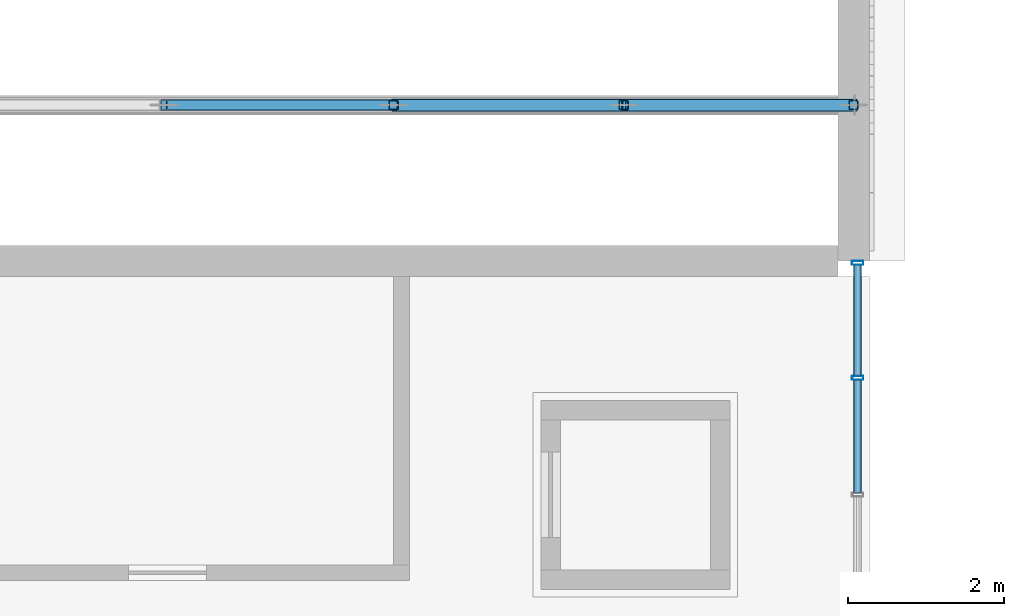
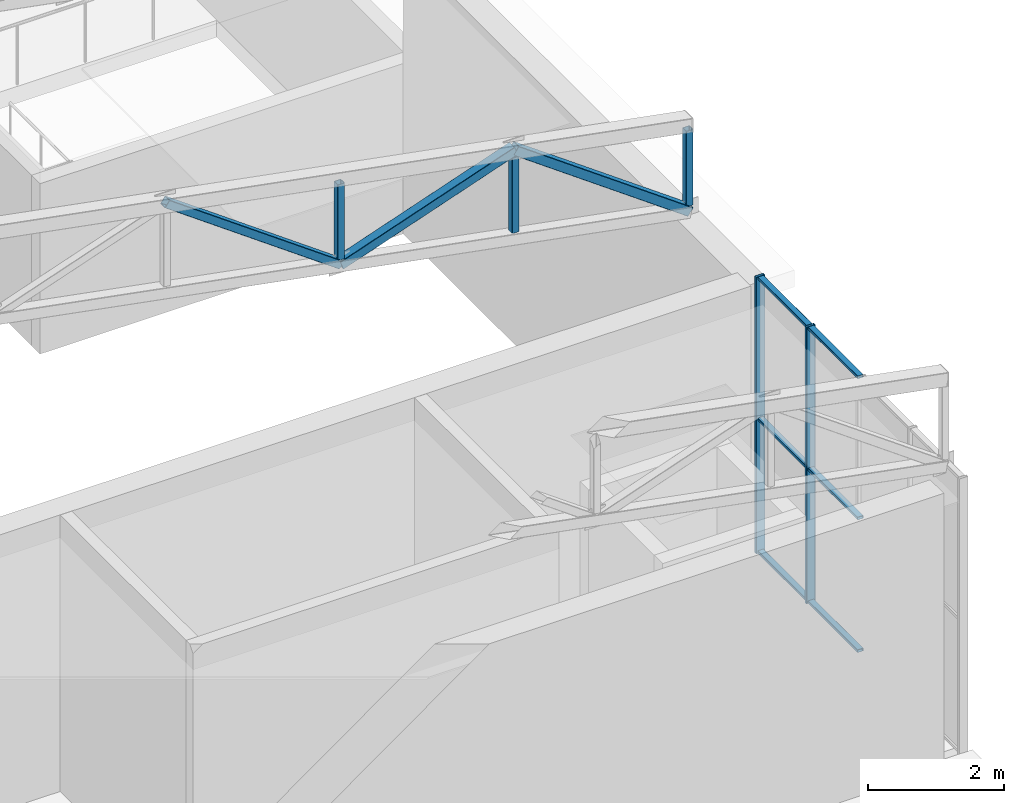
# One storey, part 17 of 125: 14 members, 1 element without a shape of its own.
"""IFC4 building model written with IfcOpenShell, lengths in metres."""

from ifc_helpers import new_model, si_unit, direction, frame, origin, origin_2d, place, context, subcontext, project, spatial, hollow_rectangle, extrude, material, material_profile, profile_set, type_object, element, aggregate, save


model = new_model("IFC4")

# Units and contexts
model_context = context("Model", 3, precision=1e-05, world=origin(), true_north=direction((0.0, 1.0)))
body_context = subcontext(model_context, "Body", "Model", "MODEL_VIEW")
ifc_project = project(units=[si_unit("LENGTHUNIT", "METRE"), si_unit("AREAUNIT", "SQUARE_METRE"), si_unit("VOLUMEUNIT", "CUBIC_METRE"), si_unit("PLANEANGLEUNIT", "RADIAN"), si_unit("MASSUNIT", "GRAM", prefix="KILO")], contexts=[model_context])

# Site, building, storey
site_placement = place(None, origin())
site = spatial("IfcSite", under=ifc_project, at=site_placement, CompositionType="ELEMENT")
building_placement = place(site_placement, origin())
building = spatial("IfcBuilding", under=site, at=building_placement, Name="Sun Court Science Centre", CompositionType="ELEMENT")
storey_placement = place(building_placement, frame((0.0, 0.0, 6.0)))
storey = spatial("IfcBuildingStorey", under=building, at=storey_placement, Name="L01", CompositionType="ELEMENT", Elevation=6.0)

# Curtain wall, members
ifc_material_1 = material(Name="Aluminium EN AW-6063 T6", Category="aluminium")
curtain_wall_type = type_object("IfcCurtainWallType", Name="Foyer curtain wall 1500", PredefinedType="NOTDEFINED", material=ifc_material_1)
curtain_wall_placement = place(storey_placement, origin())
curtain_wall = element("IfcCurtainWall", 1, at=curtain_wall_placement, inside=storey, type_object=curtain_wall_type, Name="Curtain wall V3 E L01 01", PredefinedType="NOTDEFINED")
ifc_material_2 = material(Name="Aluminium EN AW-6063 T6", Category="aluminium")
ifc_material_profile_1 = material_profile(ifc_material_2, hollow_rectangle(XDim=0.050048828125, YDim=0.14990234375, WallThickness=0.00390625, InnerFilletRadius=0.00390625, OuterFilletRadius=0.006103515625, at=origin_2d()), Name="AL 50x150x4")
ifc_profile_set_1 = profile_set([ifc_material_profile_1], Name="Aluminium EN AW-6063 T6")
member_type_1 = type_object("IfcMemberType", Name="Curtain wall mullion AL 50x150", PredefinedType="MULLION", material=ifc_profile_set_1)
member_1_placement = place(storey_placement, frame((23.85009765625, 52.5, 0.0), z_axis=(0.0, 0.0, 1.0), x_axis=(0.0, -1.0, 0.0)))
member_1 = element("IfcMember", 2, at=member_1_placement, type_object=member_type_1, Name="CW1-02 mullion 2", PredefinedType="MULLION", context=body_context, shape_type="SweptSolid", body=[
    extrude(hollow_rectangle(XDim=0.050048828125, YDim=0.14990234375, WallThickness=0.00390625, InnerFilletRadius=0.00390625, OuterFilletRadius=0.006103515625, at=origin_2d()), origin(), (0.0, 0.0, 1.0), 4.949951171875),
])
member_2_placement = place(storey_placement, frame((23.85009765625, 53.97509765625, 0.0), z_axis=(0.0, 0.0, 1.0), x_axis=(0.0, -1.0, 0.0)))
member_2 = element("IfcMember", 3, at=member_2_placement, type_object=member_type_1, Name="CW1-02 mullion 1", PredefinedType="MULLION", context=body_context, shape_type="SweptSolid", body=[
    extrude(hollow_rectangle(XDim=0.050048828125, YDim=0.14990234375, WallThickness=0.00390625, InnerFilletRadius=0.00390625, OuterFilletRadius=0.006103515625, at=origin_2d()), origin(), (0.0, 0.0, 1.0), 4.949951171875),
])
ifc_material_3 = material(Name="Aluminium EN AW-6063 T6", Category="aluminium")
ifc_material_profile_2 = material_profile(ifc_material_3, hollow_rectangle(XDim=0.050048828125, YDim=0.10009765625, WallThickness=0.00390625, InnerFilletRadius=0.00390625, OuterFilletRadius=0.006103515625, at=origin_2d()), Name="AL 50x100x4")
ifc_profile_set_2 = profile_set([ifc_material_profile_2], Name="Aluminium EN AW-6063 T6")
member_type_2 = type_object("IfcMemberType", Name="Curtain wall transom AL 50x100", PredefinedType="USERDEFINED", material=ifc_profile_set_2)
member_3_placement = place(storey_placement, frame((23.85009765625, 52.47509765625, 0.02490234375), z_axis=(0.0, -1.0, 0.0), x_axis=(0.0, 0.0, 1.0)))
member_3 = element("IfcMember", 4, at=member_3_placement, type_object=member_type_2, Name="CW1-02 transom 2.1", ObjectType="TRANSOM", PredefinedType="USERDEFINED", context=body_context, shape_type="SweptSolid", body=[
    extrude(hollow_rectangle(XDim=0.050048828125, YDim=0.10009765625, WallThickness=0.00390625, InnerFilletRadius=0.00390625, OuterFilletRadius=0.006103515625, at=origin_2d()), origin(), (0.0, 0.0, 1.0), 1.4501953125),
])
member_4_placement = place(storey_placement, frame((23.85009765625, 53.949951171875, 0.02490234375), z_axis=(0.0, -1.0, 0.0), x_axis=(0.0, 0.0, 1.0)))
member_4 = element("IfcMember", 5, at=member_4_placement, type_object=member_type_2, Name="CW1-02 transom 1.1", ObjectType="TRANSOM", PredefinedType="USERDEFINED", context=body_context, shape_type="SweptSolid", body=[
    extrude(hollow_rectangle(XDim=0.050048828125, YDim=0.10009765625, WallThickness=0.00390625, InnerFilletRadius=0.00390625, OuterFilletRadius=0.006103515625, at=origin_2d()), origin(), (0.0, 0.0, 1.0), 1.425048828125),
])
member_5_placement = place(storey_placement, frame((23.85009765625, 52.47509765625, 2.39990234375), z_axis=(0.0, -1.0, 0.0), x_axis=(0.0, 0.0, 1.0)))
member_5 = element("IfcMember", 6, at=member_5_placement, type_object=member_type_2, Name="CW1-02 transom 2.2", ObjectType="TRANSOM", PredefinedType="USERDEFINED", context=body_context, shape_type="SweptSolid", body=[
    extrude(hollow_rectangle(XDim=0.050048828125, YDim=0.10009765625, WallThickness=0.00390625, InnerFilletRadius=0.00390625, OuterFilletRadius=0.006103515625, at=origin_2d()), origin(), (0.0, 0.0, 1.0), 1.4501953125),
])
member_6_placement = place(storey_placement, frame((23.85009765625, 53.949951171875, 2.39990234375), z_axis=(0.0, -1.0, 0.0), x_axis=(0.0, 0.0, 1.0)))
member_6 = element("IfcMember", 7, at=member_6_placement, type_object=member_type_2, Name="CW1-02 transom 1.2", ObjectType="TRANSOM", PredefinedType="USERDEFINED", context=body_context, shape_type="SweptSolid", body=[
    extrude(hollow_rectangle(XDim=0.050048828125, YDim=0.10009765625, WallThickness=0.00390625, InnerFilletRadius=0.00390625, OuterFilletRadius=0.006103515625, at=origin_2d()), origin(), (0.0, 0.0, 1.0), 1.425048828125),
])
member_7_placement = place(storey_placement, frame((23.85009765625, 52.47509765625, 4.925048828125), z_axis=(0.0, -1.0, 0.0), x_axis=(0.0, 0.0, 1.0)))
member_7 = element("IfcMember", 8, at=member_7_placement, type_object=member_type_2, Name="CW1-02 transom 2.3", ObjectType="TRANSOM", PredefinedType="USERDEFINED", context=body_context, shape_type="SweptSolid", body=[
    extrude(hollow_rectangle(XDim=0.050048828125, YDim=0.10009765625, WallThickness=0.00390625, InnerFilletRadius=0.00390625, OuterFilletRadius=0.006103515625, at=origin_2d()), origin(), (0.0, 0.0, 1.0), 1.4501953125),
])
member_8_placement = place(storey_placement, frame((23.85009765625, 53.949951171875, 4.925048828125), z_axis=(0.0, -1.0, 0.0), x_axis=(0.0, 0.0, 1.0)))
member_8 = element("IfcMember", 9, at=member_8_placement, type_object=member_type_2, Name="CW1-02 transom 1.3", ObjectType="TRANSOM", PredefinedType="USERDEFINED", context=body_context, shape_type="SweptSolid", body=[
    extrude(hollow_rectangle(XDim=0.050048828125, YDim=0.10009765625, WallThickness=0.00390625, InnerFilletRadius=0.00390625, OuterFilletRadius=0.006103515625, at=origin_2d()), origin(), (0.0, 0.0, 1.0), 1.425048828125),
])
aggregate(curtain_wall, [member_1, member_2, member_3, member_4, member_5, member_6, member_7, member_8])

# Members
ifc_material_4 = material(Name="Steel S355", Category="steel")
ifc_material_profile_3 = material_profile(ifc_material_4, hollow_rectangle(XDim=0.139892578125, YDim=0.139892578125, WallThickness=0.008056640625, InnerFilletRadius=0.008056640625, OuterFilletRadius=0.011962890625, at=origin_2d()), Name="SHS 140x140x8")
ifc_profile_set_3 = profile_set([ifc_material_profile_3], Name="Steel S355")
member_type_3 = type_object("IfcMemberType", Name="Truss diagonal SHS 140x140x8", PredefinedType="BRACE", material=ifc_profile_set_3)
member_9_placement = place(storey_placement, frame((14.949951171875, 56.0, 8.15185546875), z_axis=(0.810985300315, 0.0, -0.585066528416), x_axis=(0.0, 1.0, 0.0)))
element("IfcMember", 10, at=member_9_placement, inside=storey, type_object=member_type_3, Name="Roof truss 2 diagonal 6", PredefinedType="BRACE", context=body_context, shape_type="SweptSolid", body=[
    extrude(hollow_rectangle(XDim=0.139892578125, YDim=0.139892578125, WallThickness=0.008056640625, InnerFilletRadius=0.008056640625, OuterFilletRadius=0.011962890625, at=origin_2d()), origin(), (0.0, 0.0, 1.0), 3.637451171875),
])
ifc_material_5 = material(Name="Steel S355", Category="steel")
ifc_material_profile_4 = material_profile(ifc_material_5, hollow_rectangle(XDim=0.159912109375, YDim=0.159912109375, WallThickness=0.008056640625, InnerFilletRadius=0.008056640625, OuterFilletRadius=0.011962890625, at=origin_2d()), Name="SHS 160x160x8")
ifc_profile_set_4 = profile_set([ifc_material_profile_4], Name="Steel S355")
member_type_4 = type_object("IfcMemberType", Name="Truss diagonal SHS 160x160x8", PredefinedType="BRACE", material=ifc_profile_set_4)
member_10_placement = place(storey_placement, frame((17.89990234375, 56.0, 6.023681640625), z_axis=(0.944911675704, 0.0, 0.32732541166), x_axis=(0.0, 1.0, 0.0)))
element("IfcMember", 11, at=member_10_placement, inside=storey, type_object=member_type_4, Name="Roof truss 2 diagonal 7", PredefinedType="BRACE", context=body_context, shape_type="SweptSolid", body=[
    extrude(hollow_rectangle(XDim=0.159912109375, YDim=0.159912109375, WallThickness=0.008056640625, InnerFilletRadius=0.008056640625, OuterFilletRadius=0.011962890625, at=origin_2d()), origin(), (0.0, 0.0, 1.0), 3.1220703125),
])
member_11_placement = place(storey_placement, frame((20.85009765625, 56.0, 7.045654296875), z_axis=(0.810985300315, 0.0, -0.585066528416), x_axis=(0.0, 1.0, 0.0)))
element("IfcMember", 12, at=member_11_placement, inside=storey, type_object=member_type_4, Name="Roof truss 2 diagonal 8", PredefinedType="BRACE", context=body_context, shape_type="SweptSolid", body=[
    extrude(hollow_rectangle(XDim=0.159912109375, YDim=0.159912109375, WallThickness=0.008056640625, InnerFilletRadius=0.008056640625, OuterFilletRadius=0.011962890625, at=origin_2d()), origin(), (0.0, 0.0, 1.0), 3.637451171875),
])
ifc_material_6 = material(Name="Steel S355", Category="steel")
ifc_material_profile_5 = material_profile(ifc_material_6, hollow_rectangle(XDim=0.1201171875, YDim=0.1201171875, WallThickness=0.008056640625, InnerFilletRadius=0.008056640625, OuterFilletRadius=0.011962890625, at=origin_2d()), Name="SHS 120x120x8")
ifc_profile_set_5 = profile_set([ifc_material_profile_5], Name="Steel S355")
member_type_5 = type_object("IfcMemberType", Name="Truss post SHS 120x120x8", PredefinedType="POST", material=ifc_profile_set_5)
member_12_placement = place(storey_placement, frame((17.89990234375, 56.0, 6.123779296875), z_axis=(0.0, 0.0, 1.0), x_axis=(1.0, 0.0, 0.0)))
element("IfcMember", 13, at=member_12_placement, inside=storey, type_object=member_type_5, Name="Roof truss 2 post 7", PredefinedType="POST", context=body_context, shape_type="SweptSolid", body=[
    extrude(hollow_rectangle(XDim=0.1201171875, YDim=0.1201171875, WallThickness=0.008056640625, InnerFilletRadius=0.008056640625, OuterFilletRadius=0.011962890625, at=origin_2d()), origin(), (0.0, 0.0, 1.0), 1.349853515625),
])
member_13_placement = place(storey_placement, frame((20.85009765625, 56.0, 5.570556640625), z_axis=(0.0, 0.0, 1.0), x_axis=(1.0, 0.0, 0.0)))
element("IfcMember", 14, at=member_13_placement, inside=storey, type_object=member_type_5, Name="Roof truss 2 post 8", PredefinedType="POST", context=body_context, shape_type="SweptSolid", body=[
    extrude(hollow_rectangle(XDim=0.1201171875, YDim=0.1201171875, WallThickness=0.008056640625, InnerFilletRadius=0.008056640625, OuterFilletRadius=0.011962890625, at=origin_2d()), origin(), (0.0, 0.0, 1.0), 1.35009765625),
])
member_14_placement = place(storey_placement, frame((23.800048828125, 56.0, 5.017578125), z_axis=(0.0, 0.0, 1.0), x_axis=(1.0, 0.0, 0.0)))
element("IfcMember", 15, at=member_14_placement, inside=storey, type_object=member_type_5, Name="Roof truss 2 post 9", PredefinedType="POST", context=body_context, shape_type="SweptSolid", body=[
    extrude(hollow_rectangle(XDim=0.1201171875, YDim=0.1201171875, WallThickness=0.008056640625, InnerFilletRadius=0.008056640625, OuterFilletRadius=0.011962890625, at=origin_2d()), origin(), (0.0, 0.0, 1.0), 1.349853515625),
])

save(model, "model.ifc")
